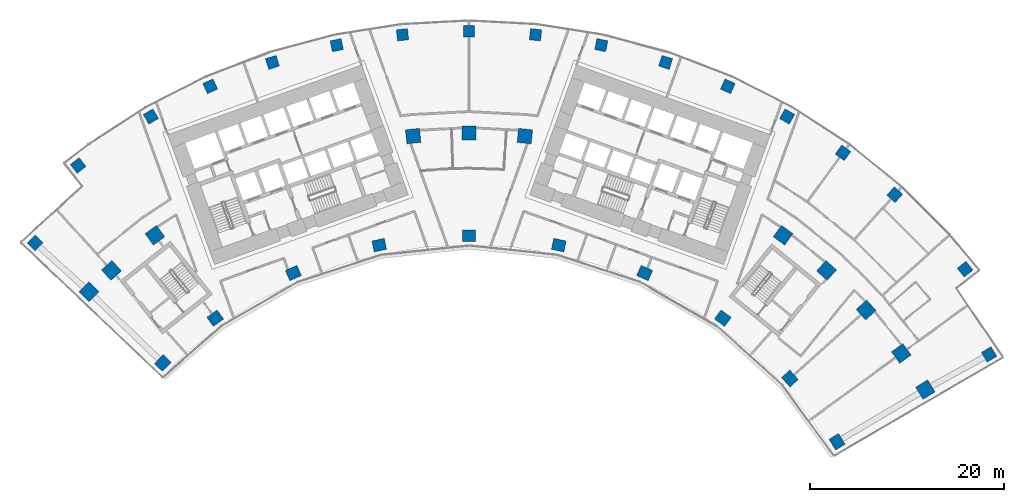
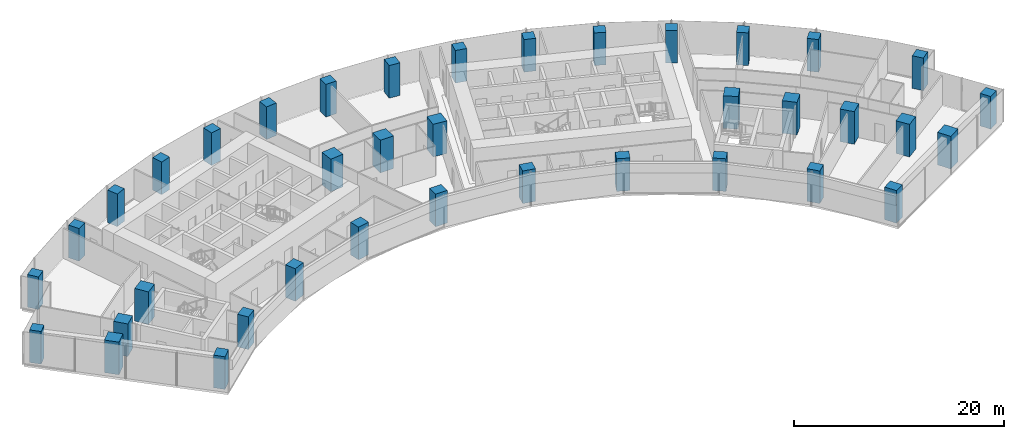
# One storey, part 1 of 19: 38 columns.
"""IFC4 building model written with IfcOpenShell, lengths in metres."""

from ifc_helpers import new_model, si_unit, direction, frame, origin, origin_2d, place, context, subcontext, project, spatial, rectangle, extrude, material, material_profile, profile_set, type_object, element, save


model = new_model("IFC4")

# Units and contexts
model_context = context("Model", 3, precision=1e-05, world=origin(), true_north=direction((0.0, 1.0)))
body_context = subcontext(model_context, "Body", "Model", "MODEL_VIEW")
ifc_project = project(units=[si_unit("LENGTHUNIT", "METRE"), si_unit("AREAUNIT", "SQUARE_METRE"), si_unit("VOLUMEUNIT", "CUBIC_METRE"), si_unit("PLANEANGLEUNIT", "RADIAN"), si_unit("MASSUNIT", "GRAM", prefix="KILO")], contexts=[model_context])

# Site, building, storey
site_placement = place(None, origin())
site = spatial("IfcSite", under=ifc_project, at=site_placement, CompositionType="ELEMENT")
building_placement = place(site_placement, origin())
building = spatial("IfcBuilding", under=site, at=building_placement, Name="Stone Belt Terrace Tower", CompositionType="ELEMENT")
storey_placement = place(building_placement, frame((0.0, 0.0, 128.800048828125)))
storey = spatial("IfcBuildingStorey", under=building, at=storey_placement, Name="L31", CompositionType="ELEMENT", Elevation=128.800048828125)

# Columns
ifc_material = material(Name="Concrete B80", Category="concrete")
ifc_material_profile_1 = material_profile(ifc_material, rectangle(XDim=1.14990234375, YDim=1.14990234375, at=origin_2d()), Name="RC 1150x1150")
ifc_profile_set_1 = profile_set([ifc_material_profile_1], Name="Concrete B80")
column_type_1 = type_object("IfcColumnType", Name="Column RC 1150x1150 B80", PredefinedType="COLUMN", material=ifc_profile_set_1)
for number, where, z_axis, x_axis, name in (
    (1, (-44.660400390625, 43.70703125, 0.0), (0.0, 0.0, 1.0), (0.699437600403, 0.714693670842, 0.0), "Column L31 RA"),
    (2, (53.53662109375, 32.228515625, 0.0), (0.0, 0.0, 1.0), (0.515750011733, -0.856739123303, 0.0), "Column L31 RB"),
    (3, (-40.231201171875, 51.674560546875, 0.0), (0.0, 0.0, 1.0), (0.789057280835, 0.614319629803, 0.0), "Column L31 RNA"),
    (4, (-32.744384765625, 56.715087890625, 0.0), (0.0, 0.0, 1.0), (0.866025403784, 0.5, 0.0), "Column L31 R17"),
    (5, (-26.63671875, 59.8271484375, 0.0), (0.0, 0.0, 1.0), (0.913545457643, 0.406736643076, 0.0), "Column L31 R18"),
    (6, (-20.2373046875, 62.28369140625, 0.0), (0.0, 0.0, 1.0), (0.951056516295, 0.309016994375, 0.0), "Column L31 R19"),
    (7, (-13.615966796875, 64.057861328125, 0.0), (0.0, 0.0, 1.0), (0.978147600734, 0.207911690818, 0.0), "Column L31 R20"),
    (8, (-6.845458984375, 65.130126953125, 0.0), (0.0, 0.0, 1.0), (0.994521895368, 0.104528463268, 0.0), "Column L31 R21"),
    (9, (0.0, 65.489013671875, 0.0), (0.0, 0.0, 1.0), (1.0, 0.0, 0.0), "Column L31 R22"),
    (10, (6.845458984375, 65.130126953125, 0.0), (0.0, 0.0, 1.0), (0.994521895368, -0.104528463268, 0.0), "Column L31 R23"),
    (11, (13.615966796875, 64.057861328125, 0.0), (0.0, 0.0, 1.0), (0.978147600734, -0.207911690818, 0.0), "Column L31 R24"),
    (12, (20.2373046875, 62.28369140625, 0.0), (0.0, 0.0, 1.0), (0.951056516295, -0.309016994375, 0.0), "Column L31 R25"),
    (13, (26.63671875, 59.8271484375, 0.0), (0.0, 0.0, 1.0), (0.913545457643, -0.406736643076, 0.0), "Column L31 R26"),
    (14, (32.744384765625, 56.715087890625, 0.0), (0.0, 0.0, 1.0), (0.866025403784, -0.5, 0.0), "Column L31 R27"),
    (15, (38.493408203125, 52.981689453125, 0.0), (0.0, 0.0, 1.0), (0.809016994375, -0.587785252292, 0.0), "Column L31 R28"),
    (16, (43.820556640625, 48.667724609375, 0.0), (0.0, 0.0, 1.0), (0.743144825477, -0.669130606359, 0.0), "Column L31 R29"),
    (17, (51.064208984375, 41.002685546875, 0.0), (0.0, 0.0, 1.0), (0.626104488961, -0.779739167224, 0.0), "Column L31 RNB"),
):
    element("IfcColumn", number, at=place(storey_placement, frame(where, z_axis=z_axis, x_axis=x_axis)), inside=storey, type_object=column_type_1, Name=name, PredefinedType="COLUMN", context=body_context, shape_type="SweptSolid", body=[
        extrude(rectangle(XDim=1.14990234375, YDim=1.14990234375, at=origin_2d()), origin(), (0.0, 0.0, 1.0), 3.800048828125),
    ])
ifc_material_profile_2 = material_profile(ifc_material, rectangle(XDim=1.300048828125, YDim=1.14990234375, at=origin_2d()), Name="RC 1300x1150")
ifc_profile_set_2 = profile_set([ifc_material_profile_2], Name="Concrete B80")
column_type_2 = type_object("IfcColumnType", Name="Column RC 1300x1150 B80", PredefinedType="COLUMN", material=ifc_profile_set_2)
for number, where, z_axis, x_axis, name in (
    (18, (-31.5078125, 31.3466796875, 0.0), (0.0, 0.0, 1.0), (0.705293990601, 0.708914936239, 0.0), "Column L31 PA"),
    (19, (-26.1240234375, 35.956787109375, 0.0), (0.0, 0.0, 1.0), (0.809016994375, 0.587785252292, 0.0), "Column L31 P16"),
    (20, (-18.077392578125, 40.6025390625, 0.0), (0.0, 0.0, 1.0), (0.913545457643, 0.406736643076, 0.0), "Column L31 P18"),
    (21, (-9.240478515625, 43.473876953125, 0.0), (0.0, 0.0, 1.0), (0.978147600734, 0.207911690818, 0.0), "Column L31 P20"),
    (22, (0.0, 44.445068359375, 0.0), (0.0, 0.0, 1.0), (1.0, 0.0, 0.0), "Column L31 P22"),
    (23, (9.240478515625, 43.473876953125, 0.0), (0.0, 0.0, 1.0), (0.978147600734, -0.207911690818, 0.0), "Column L31 P24"),
    (24, (18.077392578125, 40.6025390625, 0.0), (0.0, 0.0, 1.0), (0.913545457643, -0.406736643076, 0.0), "Column L31 P26"),
    (25, (26.1240234375, 35.956787109375, 0.0), (0.0, 0.0, 1.0), (0.809016994375, -0.587785252292, 0.0), "Column L31 P28"),
    (26, (33.029052734375, 29.739501953125, 0.0), (0.0, 0.0, 1.0), (0.669130606359, -0.743144825477, 0.0), "Column L31 P30"),
    (27, (37.887939453125, 23.235107421875, 0.0), (0.0, 0.0, 1.0), (0.522781282168, -0.852466850391, 0.0), "Column L31 PB"),
):
    element("IfcColumn", number, at=place(storey_placement, frame(where, z_axis=z_axis, x_axis=x_axis)), inside=storey, type_object=column_type_2, Name=name, PredefinedType="COLUMN", context=body_context, shape_type="SweptSolid", body=[
        extrude(rectangle(XDim=1.300048828125, YDim=1.14990234375, at=origin_2d()), origin(), (0.0, 0.0, 1.0), 3.800048828125),
    ])
ifc_material_profile_3 = material_profile(ifc_material, rectangle(XDim=1.449951171875, YDim=1.449951171875, at=origin_2d()), Name="RC 1450x1450")
ifc_profile_set_3 = profile_set([ifc_material_profile_3], Name="Concrete B80")
column_type_3 = type_object("IfcColumnType", Name="Column RC 1450x1450 B80", PredefinedType="COLUMN", material=ifc_profile_set_3)
for number, where, z_axis, x_axis, name in (
    (28, (-39.108154296875, 38.67236328125, 0.0), (0.0, 0.0, 1.0), (0.703134133957, 0.711057233748, 0.0), "Column L31 QA"),
    (29, (-36.80224609375, 40.873046875, 0.0), (0.0, 0.0, 1.0), (0.743144825477, 0.669130606359, 0.0), "Column L31 Q15"),
    (30, (-32.328125, 44.495849609375, 0.0), (0.0, 0.0, 1.0), (0.809016994375, 0.587785252292, 0.0), "Column L31 Q16"),
    (31, (-5.7490234375, 54.69873046875, 0.0), (0.0, 0.0, 1.0), (0.994521895368, 0.104528463268, 0.0), "Column L31 Q21"),
    (32, (0.0, 55.0, 0.0), (0.0, 0.0, 1.0), (1.0, 0.0, 0.0), "Column L31 Q22"),
    (33, (5.7490234375, 54.69873046875, 0.0), (0.0, 0.0, 1.0), (0.994521895368, -0.104528463268, 0.0), "Column L31 Q23"),
    (34, (32.328125, 44.495849609375, 0.0), (0.0, 0.0, 1.0), (0.809016994375, -0.587785252292, 0.0), "Column L31 Q28"),
    (35, (36.80224609375, 40.873046875, 0.0), (0.0, 0.0, 1.0), (0.743144825477, -0.669130606359, 0.0), "Column L31 Q29"),
    (36, (40.873046875, 36.80224609375, 0.0), (0.0, 0.0, 1.0), (0.669130606359, -0.743144825477, 0.0), "Column L31 Q30"),
    (37, (44.495849609375, 32.328125, 0.0), (0.0, 0.0, 1.0), (0.587785252292, -0.809016994375, 0.0), "Column L31 Q31"),
    (38, (46.972900390625, 28.610107421875, 0.0), (0.0, 0.0, 1.0), (0.520185570168, -0.854053260979, 0.0), "Column L31 QB"),
):
    element("IfcColumn", number, at=place(storey_placement, frame(where, z_axis=z_axis, x_axis=x_axis)), inside=storey, type_object=column_type_3, Name=name, PredefinedType="COLUMN", context=body_context, shape_type="SweptSolid", body=[
        extrude(rectangle(XDim=1.449951171875, YDim=1.449951171875, at=origin_2d()), origin(), (0.0, 0.0, 1.0), 3.800048828125),
    ])

save(model, "model.ifc")
